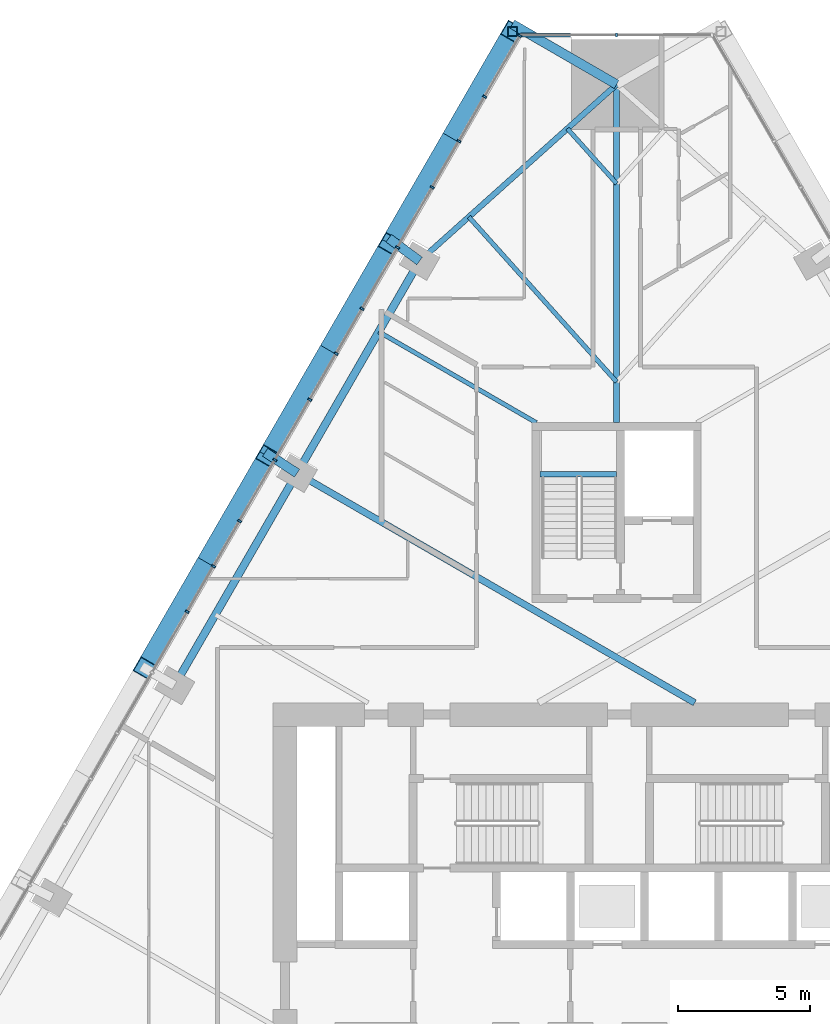
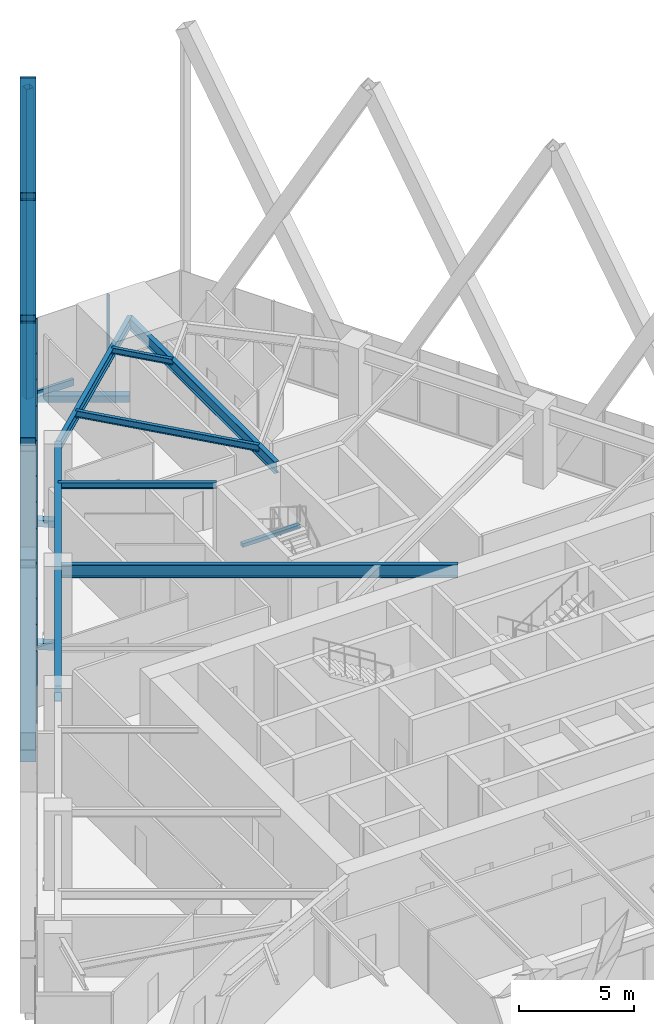
# One storey, part 9 of 19: 24 members, 8 beams, 2 elements without a shape of their own.
"""IFC4 building model written with IfcOpenShell, lengths in metres."""

from ifc_helpers import new_model, si_unit, direction, frame, origin, origin_2d, place, context, subcontext, project, spatial, rectangle, hollow_rectangle, i_section, extrude, material, layer, layer_set, material_profile, profile_set, type_object, element, aggregate, save


model = new_model("IFC4")

# Units and contexts
model_context = context("Model", 3, precision=1e-05, world=origin(), true_north=direction((0.0, 1.0)))
body_context = subcontext(model_context, "Body", "Model", "MODEL_VIEW")
ifc_project = project(units=[si_unit("LENGTHUNIT", "METRE"), si_unit("AREAUNIT", "SQUARE_METRE"), si_unit("VOLUMEUNIT", "CUBIC_METRE"), si_unit("PLANEANGLEUNIT", "RADIAN"), si_unit("MASSUNIT", "GRAM", prefix="KILO")], contexts=[model_context])

# Site, building, storey
site_placement = place(None, origin())
site = spatial("IfcSite", under=ifc_project, at=site_placement, CompositionType="ELEMENT")
building_placement = place(site_placement, origin())
building = spatial("IfcBuilding", under=site, at=building_placement, Name="Firuza Gate Tower and Library", CompositionType="ELEMENT")
storey_placement = place(building_placement, frame((0.0, 0.0, 124.0)))
storey = spatial("IfcBuildingStorey", under=building, at=storey_placement, Name="L28", CompositionType="ELEMENT", Elevation=124.0)

# Members
ifc_material_1 = material(Name="Steel S355", Category="steel")
ifc_material_profile_1 = material_profile(ifc_material_1, hollow_rectangle(XDim=0.699951171875, YDim=0.699951171875, WallThickness=0.030029296875, at=origin_2d()))
ifc_profile_set_1 = profile_set([ifc_material_profile_1], Name="Steel S355")
member_type_1 = type_object("IfcMemberType", Name="BU700x700x30 Lattice brace", PredefinedType="BRACE", material=ifc_profile_set_1)
for number, where, z_axis, x_axis, name in (
    (1, (71.0537109375, 109.398681640625, 0.0), (-0.241608783829, -0.418470484936, 0.875504225469), (0.866021159116, -0.500007351908, 0.0), "Lattice brace W 6.1R"),
    (2, (66.41748046875, 101.36865234375, 0.0), (0.241608783829, 0.418470484936, 0.875504225469), (-0.866021159116, 0.500007351908, 0.0), "Lattice brace W 6.1L"),
    (3, (66.41748046875, 101.36865234375, 0.0), (-0.241608783829, -0.418470484936, 0.875504225469), (0.866021159116, -0.500007351908, 0.0), "Lattice brace W 6.2R"),
    (4, (61.78125, 93.338623046875, 0.0), (0.241608783829, 0.418470484936, 0.875504225469), (-0.866021159116, 0.500007351908, 0.0), "Lattice brace W 6.2L"),
    (5, (61.78125, 93.338623046875, 0.0), (-0.241596803526, -0.418471771276, 0.875506916689), (0.866032560393, -0.499987604186, 0.0), "Lattice brace W 6.3R"),
    (6, (57.145263671875, 85.30859375, 0.0), (0.241596803526, 0.418471771276, 0.875506916689), (-0.866032560393, 0.499987604186, 0.0), "Lattice brace W 6.3L"),
):
    element("IfcMember", number, at=place(storey_placement, frame(where, z_axis=z_axis, x_axis=x_axis)), inside=storey, type_object=member_type_1, Name=name, PredefinedType="BRACE", context=body_context, shape_type="SweptSolid", body=[
        extrude(hollow_rectangle(XDim=0.699951171875, YDim=0.699951171875, WallThickness=0.030029296875, at=origin_2d()), origin(), (0.0, 0.0, 1.0), 19.18896484375),
    ])

# Curtain wall, member
ifc_material_2 = material(Name="Aluminium 6063-T6", Category="aluminium")
ifc_layer_1 = layer(ifc_material_2, 0.14990234375)
ifc_layer_set_1 = layer_set([ifc_layer_1], Name="Corner curtain wall, chamfers")
curtain_wall_type_1 = type_object("IfcCurtainWallType", Name="Corner curtain wall, chamfers", PredefinedType="NOTDEFINED", material=ifc_layer_set_1)
placement = place(storey_placement, origin())
curtain_wall_1 = element("IfcCurtainWall", 7, at=placement, inside=storey, type_object=curtain_wall_type_1, Name="CW4 L28 N corner", PredefinedType="NOTDEFINED")
ifc_material_3 = material(Name="Aluminium 6063-T6", Category="aluminium")
ifc_material_profile_2 = material_profile(ifc_material_3, rectangle(XDim=0.14990234375, YDim=0.080078125, at=origin_2d()))
ifc_profile_set_2 = profile_set([ifc_material_profile_2], Name="Aluminium 6063-T6")
member_type_2 = type_object("IfcMemberType", Name="Curtain wall mullion 80x150", PredefinedType="MULLION", material=ifc_profile_set_2)
member_1_placement = place(storey_placement, frame((75.0, 109.273681640625, 0.14990234375), z_axis=(0.0, 0.0, 1.0), x_axis=(0.0, -1.0, 0.0)))
member_1 = element("IfcMember", 8, at=member_1_placement, type_object=member_type_2, Name="Mullion", PredefinedType="MULLION", context=body_context, shape_type="SweptSolid", body=[
    extrude(rectangle(XDim=0.14990234375, YDim=0.080078125, at=origin_2d()), origin(), (0.0, 0.0, 1.0), 3.85009765625),
])

# Curtain wall, members
ifc_material_4 = material(Name="Aluminium 6063-T6", Category="aluminium")
ifc_layer_2 = layer(ifc_material_4, 0.14990234375)
ifc_layer_set_2 = layer_set([ifc_layer_2], Name="Unitised curtain wall, offices")
curtain_wall_type_2 = type_object("IfcCurtainWallType", Name="Unitised curtain wall, offices", PredefinedType="NOTDEFINED", material=ifc_layer_set_2)
curtain_wall_2 = element("IfcCurtainWall", 9, at=placement, inside=storey, type_object=curtain_wall_type_2, Name="CW1 L28 W face", PredefinedType="NOTDEFINED")
member_2_placement = place(storey_placement, frame((71.336669921875, 109.239013671875, 0.14990234375), z_axis=(0.0, 0.0, 1.0), x_axis=(0.866025403784, -0.5, 0.0)))
member_2 = element("IfcMember", 10, at=member_2_placement, type_object=member_type_2, Name="Mullion", PredefinedType="MULLION", context=body_context, shape_type="SweptSolid", body=[
    extrude(rectangle(XDim=0.14990234375, YDim=0.080078125, at=origin_2d()), origin(), (0.0, 0.0, 1.0), 3.85009765625),
])
member_3_placement = place(storey_placement, frame((69.034912109375, 105.25244140625, 0.14990234375), z_axis=(0.0, 0.0, 1.0), x_axis=(0.866025403784, -0.5, 0.0)))
member_3 = element("IfcMember", 11, at=member_3_placement, type_object=member_type_2, Name="Mullion", PredefinedType="MULLION", context=body_context, shape_type="SweptSolid", body=[
    extrude(rectangle(XDim=0.14990234375, YDim=0.080078125, at=origin_2d()), origin(), (0.0, 0.0, 1.0), 3.85009765625),
])
member_4_placement = place(storey_placement, frame((66.71337890625, 101.23095703125, 0.14990234375), z_axis=(0.0, 0.0, 1.0), x_axis=(0.866025403784, -0.5, 0.0)))
member_4 = element("IfcMember", 12, at=member_4_placement, type_object=member_type_2, Name="Mullion", PredefinedType="MULLION", context=body_context, shape_type="SweptSolid", body=[
    extrude(rectangle(XDim=0.14990234375, YDim=0.080078125, at=origin_2d()), origin(), (0.0, 0.0, 1.0), 3.85009765625),
])
member_5_placement = place(storey_placement, frame((64.3916015625, 97.209716796875, 0.14990234375), z_axis=(0.0, 0.0, 1.0), x_axis=(0.866025403784, -0.5, 0.0)))
member_5 = element("IfcMember", 13, at=member_5_placement, type_object=member_type_2, Name="Mullion", PredefinedType="MULLION", context=body_context, shape_type="SweptSolid", body=[
    extrude(rectangle(XDim=0.14990234375, YDim=0.080078125, at=origin_2d()), origin(), (0.0, 0.0, 1.0), 3.85009765625),
])
member_6_placement = place(storey_placement, frame((62.070068359375, 93.1884765625, 0.14990234375), z_axis=(0.0, 0.0, 1.0), x_axis=(0.866025403784, -0.5, 0.0)))
member_6 = element("IfcMember", 14, at=member_6_placement, type_object=member_type_2, Name="Mullion", PredefinedType="MULLION", context=body_context, shape_type="SweptSolid", body=[
    extrude(rectangle(XDim=0.14990234375, YDim=0.080078125, at=origin_2d()), origin(), (0.0, 0.0, 1.0), 3.85009765625),
])
member_7_placement = place(storey_placement, frame((59.748291015625, 89.167236328125, 0.14990234375), z_axis=(0.0, 0.0, 1.0), x_axis=(0.866025403784, -0.5, 0.0)))
member_7 = element("IfcMember", 15, at=member_7_placement, type_object=member_type_2, Name="Mullion", PredefinedType="MULLION", context=body_context, shape_type="SweptSolid", body=[
    extrude(rectangle(XDim=0.14990234375, YDim=0.080078125, at=origin_2d()), origin(), (0.0, 0.0, 1.0), 3.85009765625),
])
member_8_placement = place(storey_placement, frame((70.0087890625, 106.93896484375, 0.14990234375), z_axis=(0.0, 0.0, 1.0), x_axis=(0.866025403784, -0.5, 0.0)))
member_8 = element("IfcMember", 16, at=member_8_placement, type_object=member_type_2, Name="Mullion", PredefinedType="MULLION", context=body_context, shape_type="SweptSolid", body=[
    extrude(rectangle(XDim=0.14990234375, YDim=0.080078125, at=origin_2d()), origin(), (0.0, 0.0, 1.0), 3.85009765625),
])
member_9_placement = place(storey_placement, frame((68.025146484375, 103.503173828125, 0.14990234375), z_axis=(0.0, 0.0, 1.0), x_axis=(0.866025403784, -0.5, 0.0)))
member_9 = element("IfcMember", 17, at=member_9_placement, type_object=member_type_2, Name="Mullion", PredefinedType="MULLION", context=body_context, shape_type="SweptSolid", body=[
    extrude(rectangle(XDim=0.14990234375, YDim=0.080078125, at=origin_2d()), origin(), (0.0, 0.0, 1.0), 3.85009765625),
])
member_10_placement = place(storey_placement, frame((65.37255859375, 98.908935546875, 0.14990234375), z_axis=(0.0, 0.0, 1.0), x_axis=(0.866025403784, -0.5, 0.0)))
member_10 = element("IfcMember", 18, at=member_10_placement, type_object=member_type_2, Name="Mullion", PredefinedType="MULLION", context=body_context, shape_type="SweptSolid", body=[
    extrude(rectangle(XDim=0.14990234375, YDim=0.080078125, at=origin_2d()), origin(), (0.0, 0.0, 1.0), 3.85009765625),
])
member_11_placement = place(storey_placement, frame((63.388916015625, 95.47314453125, 0.14990234375), z_axis=(0.0, 0.0, 1.0), x_axis=(0.866025403784, -0.5, 0.0)))
member_11 = element("IfcMember", 19, at=member_11_placement, type_object=member_type_2, Name="Mullion", PredefinedType="MULLION", context=body_context, shape_type="SweptSolid", body=[
    extrude(rectangle(XDim=0.14990234375, YDim=0.080078125, at=origin_2d()), origin(), (0.0, 0.0, 1.0), 3.85009765625),
])
member_12_placement = place(storey_placement, frame((60.736572265625, 90.87890625, 0.14990234375), z_axis=(0.0, 0.0, 1.0), x_axis=(0.866025403784, -0.5, 0.0)))
member_12 = element("IfcMember", 20, at=member_12_placement, type_object=member_type_2, Name="Mullion", PredefinedType="MULLION", context=body_context, shape_type="SweptSolid", body=[
    extrude(rectangle(XDim=0.14990234375, YDim=0.080078125, at=origin_2d()), origin(), (0.0, 0.0, 1.0), 3.85009765625),
])
member_13_placement = place(storey_placement, frame((58.7529296875, 87.443115234375, 0.14990234375), z_axis=(0.0, 0.0, 1.0), x_axis=(0.866025403784, -0.5, 0.0)))
member_13 = element("IfcMember", 21, at=member_13_placement, type_object=member_type_2, Name="Mullion", PredefinedType="MULLION", context=body_context, shape_type="SweptSolid", body=[
    extrude(rectangle(XDim=0.14990234375, YDim=0.080078125, at=origin_2d()), origin(), (0.0, 0.0, 1.0), 3.85009765625),
])
aggregate(curtain_wall_2, [member_2, member_3, member_4, member_5, member_6, member_7, member_8, member_9, member_10, member_11, member_12, member_13])

# Member
ifc_material_5 = material(Name="Aluminium 6063-T6", Category="aluminium")
ifc_material_profile_3 = material_profile(ifc_material_5, rectangle(XDim=0.14990234375, YDim=0.35009765625, at=origin_2d()))
ifc_profile_set_3 = profile_set([ifc_material_profile_3], Name="Aluminium 6063-T6")
member_type_3 = type_object("IfcMemberType", Name="Curtain wall transom 350x150", PredefinedType="USERDEFINED", material=ifc_profile_set_3)
member_14_placement = place(storey_placement, frame((73.248779296875, 109.273681640625, -0.02490234375), z_axis=(-1.0, 0.0, 0.0), x_axis=(0.0, -1.0, 0.0)))
member_14 = element("IfcMember", 22, at=member_14_placement, type_object=member_type_3, Name="Transom", ObjectType="TRANSOM", PredefinedType="USERDEFINED", context=body_context, shape_type="SweptSolid", body=[
    extrude(rectangle(XDim=0.14990234375, YDim=0.35009765625, at=origin_2d()), origin(), (0.0, 0.0, 1.0), 1.89208984375),
])

aggregate(curtain_wall_1, [member_1, member_14])

# Members
ifc_material_6 = material(Name="Steel S355", Category="steel")
ifc_material_profile_4 = material_profile(ifc_material_6, hollow_rectangle(XDim=0.355712890625, YDim=0.355712890625, WallThickness=0.014892578125, at=origin_2d()))
ifc_profile_set_4 = profile_set([ifc_material_profile_4], Name="Steel S355")
member_type_4 = type_object("IfcMemberType", Name="HSS356x356x16 Lattice corner stile", PredefinedType="BRACE", material=ifc_profile_set_4)
member_15_placement = place(storey_placement, frame((71.0537109375, 109.398681640625, -0.139892578125), z_axis=(0.0, 0.0, 1.0), x_axis=(1.0, 0.0, 0.0)))
element("IfcMember", 23, at=member_15_placement, inside=storey, type_object=member_type_4, Name="Lattice corner stile W 6.A", PredefinedType="BRACE", context=body_context, shape_type="SweptSolid", body=[
    extrude(hollow_rectangle(XDim=0.355712890625, YDim=0.355712890625, WallThickness=0.014892578125, at=origin_2d()), origin(), (0.0, 0.0, 1.0), 16.43994140625),
])
ifc_material_7 = material(Name="Steel S355", Category="steel")
ifc_material_profile_5 = material_profile(ifc_material_7, hollow_rectangle(XDim=0.355712890625, YDim=0.355712890625, WallThickness=0.014892578125, at=origin_2d()))
ifc_profile_set_5 = profile_set([ifc_material_profile_5], Name="Steel S355")
member_type_5 = type_object("IfcMemberType", Name="HSS356x356x16 Lattice node tie", PredefinedType="BRACE", material=ifc_profile_set_5)
member_16_placement = place(storey_placement, frame((62.9072265625, 92.6884765625, -0.320068359375), z_axis=(-0.836239284405, 0.548364713687, 0.0), x_axis=(-0.548364713687, -0.836239284405, 0.0)))
element("IfcMember", 24, at=member_16_placement, inside=storey, type_object=member_type_5, Name="Lattice node tie W L28 124", PredefinedType="BRACE", context=body_context, shape_type="SweptSolid", body=[
    extrude(hollow_rectangle(XDim=0.355712890625, YDim=0.355712890625, WallThickness=0.014892578125, at=origin_2d()), origin(), (0.0, 0.0, 1.0), 1.4443359375),
])
member_17_placement = place(storey_placement, frame((67.543212890625, 100.718505859375, -0.320068359375), z_axis=(-0.804039755994, 0.594575538331, 0.0), x_axis=(-0.594575538331, -0.804039755994, 0.0)))
element("IfcMember", 25, at=member_17_placement, inside=storey, type_object=member_type_5, Name="Lattice node tie W L28 125", PredefinedType="BRACE", context=body_context, shape_type="SweptSolid", body=[
    extrude(hollow_rectangle(XDim=0.355712890625, YDim=0.355712890625, WallThickness=0.014892578125, at=origin_2d()), origin(), (0.0, 0.0, 1.0), 1.451171875),
])
member_18_placement = place(storey_placement, frame((75.0, 107.398681640625, -0.320068359375), z_axis=(-0.86552158659, 0.50087162342, 0.0), x_axis=(-0.50087162342, -0.86552158659, 0.0)))
element("IfcMember", 26, at=member_18_placement, inside=storey, type_object=member_type_5, Name="Lattice node tie W L28 126", PredefinedType="BRACE", context=body_context, shape_type="SweptSolid", body=[
    extrude(hollow_rectangle(XDim=0.355712890625, YDim=0.355712890625, WallThickness=0.014892578125, at=origin_2d()), origin(), (0.0, 0.0, 1.0), 4.559326171875),
])

# Beams
ifc_material_8 = material(Name="Concrete C35/45", Category="concrete")
ifc_material_profile_6 = material_profile(ifc_material_8, rectangle(XDim=0.199951171875, YDim=0.199951171875, at=origin_2d()))
ifc_profile_set_6 = profile_set([ifc_material_profile_6], Name="Concrete C35/45")
beam_type_1 = type_object("IfcBeamType", Name="Stair landing bearer 200x200", PredefinedType="BEAM", material=ifc_profile_set_6)
beam_1_placement = place(storey_placement, frame((75.0, 92.64990234375, 1.800048828125), z_axis=(-1.0, 0.0, 0.0), x_axis=(0.0, -1.0, 0.0)))
element("IfcBeam", 27, at=beam_1_placement, inside=storey, type_object=beam_type_1, Name="Landing bearer L28 stair 3", PredefinedType="BEAM", context=body_context, shape_type="SweptSolid", body=[
    extrude(rectangle(XDim=0.199951171875, YDim=0.199951171875, at=origin_2d()), origin(), (0.0, 0.0, 1.0), 2.89990234375),
])
ifc_material_9 = material(Name="Steel S355", Category="steel")
ifc_material_profile_7 = material_profile(ifc_material_9, i_section(OverallWidth=0.1650390625, OverallDepth=0.31005859375, WebThickness=0.005859375, FlangeThickness=0.009765625, at=origin_2d()))
ifc_profile_set_7 = profile_set([ifc_material_profile_7], Name="Steel S355")
beam_type_2 = type_object("IfcBeamType", Name="W310x39 Floor beam", PredefinedType="JOIST", material=ifc_profile_set_7)
beam_2_placement = place(storey_placement, frame((73.1357421875, 105.728515625, 3.844970703125), z_axis=(0.667287711118, -0.744800047389, 0.0), x_axis=(0.744800047389, 0.667287711118, 0.0)))
element("IfcBeam", 28, at=beam_2_placement, inside=storey, type_object=beam_type_2, Name="Floor beam L28 s70", PredefinedType="JOIST", context=body_context, shape_type="SweptSolid", body=[
    extrude(i_section(OverallWidth=0.1650390625, OverallDepth=0.31005859375, WebThickness=0.005859375, FlangeThickness=0.009765625, at=origin_2d()), origin(), (0.0, 0.0, 1.0), 2.793701171875),
])
beam_3_placement = place(storey_placement, frame((65.997802734375, 98.0419921875, 3.844970703125), z_axis=(0.866030259979, -0.49999158873, 0.0), x_axis=(0.49999158873, 0.866030259979, 0.0)))
element("IfcBeam", 29, at=beam_3_placement, inside=storey, type_object=beam_type_2, Name="Floor beam L28 s80", PredefinedType="JOIST", context=body_context, shape_type="SweptSolid", body=[
    extrude(i_section(OverallWidth=0.1650390625, OverallDepth=0.31005859375, WebThickness=0.005859375, FlangeThickness=0.009765625, at=origin_2d()), origin(), (0.0, 0.0, 1.0), 6.8837890625),
])
ifc_material_10 = material(Name="Steel S355", Category="steel")
ifc_material_profile_8 = material_profile(ifc_material_10, i_section(OverallWidth=0.1708984375, OverallDepth=0.35498046875, WebThickness=0.007080078125, FlangeThickness=0.01171875, at=origin_2d()))
ifc_profile_set_8 = profile_set([ifc_material_profile_8], Name="Steel S355")
beam_type_3 = type_object("IfcBeamType", Name="W360x51 Floor beam", PredefinedType="JOIST", material=ifc_profile_set_8)
beam_4_placement = place(storey_placement, frame((69.407470703125, 102.388671875, 3.822509765625), z_axis=(0.667242598302, -0.744840462792, 0.0), x_axis=(0.744840462792, 0.667242598302, 0.0)))
element("IfcBeam", 30, at=beam_4_placement, inside=storey, type_object=beam_type_3, Name="Floor beam L28 s71", PredefinedType="JOIST", context=body_context, shape_type="SweptSolid", body=[
    extrude(i_section(OverallWidth=0.1708984375, OverallDepth=0.35498046875, WebThickness=0.007080078125, FlangeThickness=0.01171875, at=origin_2d()), origin(), (0.0, 0.0, 1.0), 8.381591796875),
])
ifc_material_11 = material(Name="Steel S355", Category="steel")
ifc_material_profile_9 = material_profile(ifc_material_11, i_section(OverallWidth=0.212890625, OverallDepth=0.5390625, WebThickness=0.01171875, FlangeThickness=0.018798828125, at=origin_2d()))
ifc_profile_set_9 = profile_set([ifc_material_profile_9], Name="Steel S355")
beam_type_4 = type_object("IfcBeamType", Name="W530x109 Edge beam", PredefinedType="SPANDREL", material=ifc_profile_set_9)
beam_5_placement = place(storey_placement, frame((75.0, 107.398681640625, 3.73046875), z_axis=(-0.744828518345, -0.667255931603, 0.0), x_axis=(0.667255931603, -0.744828518345, 0.0)))
element("IfcBeam", 31, at=beam_5_placement, inside=storey, type_object=beam_type_4, Name="Edge beam L28 e70", PredefinedType="SPANDREL", context=body_context, shape_type="SweptSolid", body=[
    extrude(i_section(OverallWidth=0.212890625, OverallDepth=0.5390625, WebThickness=0.01171875, FlangeThickness=0.018798828125, at=origin_2d()), origin(), (0.0, 0.0, 1.0), 10.011474609375),
])
ifc_material_12 = material(Name="Steel S355", Category="steel")
ifc_material_profile_10 = material_profile(ifc_material_12, i_section(OverallWidth=0.22802734375, OverallDepth=0.60302734375, WebThickness=0.010498046875, FlangeThickness=0.014892578125, at=origin_2d()))
ifc_profile_set_10 = profile_set([ifc_material_profile_10], Name="Steel S355")
beam_type_5 = type_object("IfcBeamType", Name="W610x101 Girder", PredefinedType="BEAM", material=ifc_profile_set_10)
beam_6_placement = place(storey_placement, frame((75.0, 107.398681640625, 3.698486328125), z_axis=(0.0, -1.0, 0.0), x_axis=(1.0, 0.0, 0.0)))
element("IfcBeam", 32, at=beam_6_placement, inside=storey, type_object=beam_type_5, Name="Girder L28 gN", PredefinedType="BEAM", context=body_context, shape_type="SweptSolid", body=[
    extrude(i_section(OverallWidth=0.22802734375, OverallDepth=0.60302734375, WebThickness=0.010498046875, FlangeThickness=0.014892578125, at=origin_2d()), origin(), (0.0, 0.0, 1.0), 12.798583984375),
])
ifc_material_13 = material(Name="Steel S355", Category="steel")
ifc_material_profile_11 = material_profile(ifc_material_13, i_section(OverallWidth=0.2529296875, OverallDepth=0.677978515625, WebThickness=0.01171875, FlangeThickness=0.016357421875, at=origin_2d()))
ifc_profile_set_11 = profile_set([ifc_material_profile_11], Name="Steel S355")
beam_type_6 = type_object("IfcBeamType", Name="W690x125 Floor beam", PredefinedType="JOIST", material=ifc_profile_set_11)
beam_7_placement = place(storey_placement, frame((62.9072265625, 92.6884765625, 3.660888671875), z_axis=(0.866024616508, -0.5000013636, 0.0), x_axis=(0.5000013636, 0.866024616508, 0.0)))
element("IfcBeam", 33, at=beam_7_placement, inside=storey, type_object=beam_type_6, Name="Floor beam L28 s81", PredefinedType="JOIST", context=body_context, shape_type="SweptSolid", body=[
    extrude(i_section(OverallWidth=0.2529296875, OverallDepth=0.677978515625, WebThickness=0.01171875, FlangeThickness=0.016357421875, at=origin_2d()), origin(), (0.0, 0.0, 1.0), 17.376953125),
])
ifc_material_14 = material(Name="Steel S355", Category="steel")
ifc_material_profile_12 = material_profile(ifc_material_14, i_section(OverallWidth=0.2919921875, OverallDepth=0.8349609375, WebThickness=0.013916015625, FlangeThickness=0.018798828125, at=origin_2d()))
ifc_profile_set_12 = profile_set([ifc_material_profile_12], Name="Steel S355")
beam_type_7 = type_object("IfcBeamType", Name="W840x176 Edge beam", PredefinedType="SPANDREL", material=ifc_profile_set_12)
beam_8_placement = place(storey_placement, frame((67.543212890625, 100.718505859375, 3.58251953125), z_axis=(-0.499997478145, -0.866026859773, 0.0), x_axis=(0.866026859773, -0.499997478145, 0.0)))
element("IfcBeam", 34, at=beam_8_placement, inside=storey, type_object=beam_type_7, Name="Edge beam L28 e80", PredefinedType="SPANDREL", context=body_context, shape_type="SweptSolid", body=[
    extrude(i_section(OverallWidth=0.2919921875, OverallDepth=0.8349609375, WebThickness=0.013916015625, FlangeThickness=0.018798828125, at=origin_2d()), origin(), (0.0, 0.0, 1.0), 18.54443359375),
])

save(model, "model.ifc")
